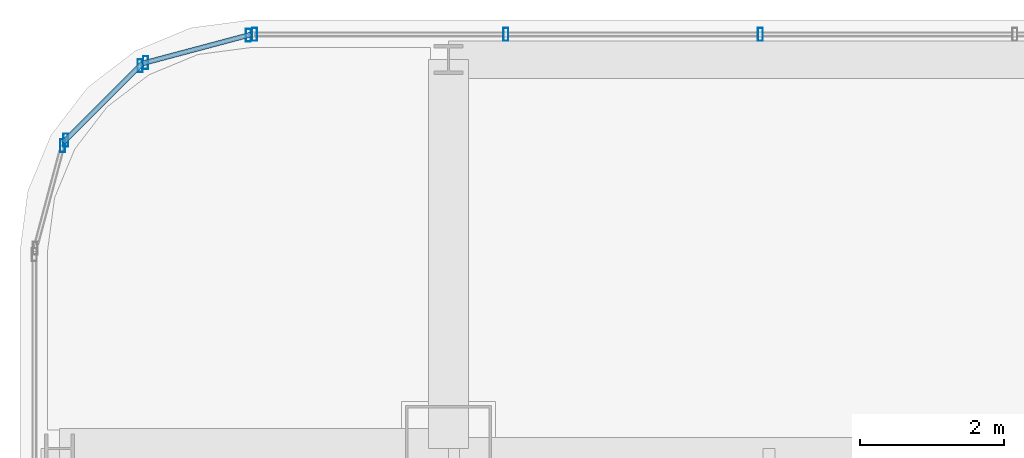
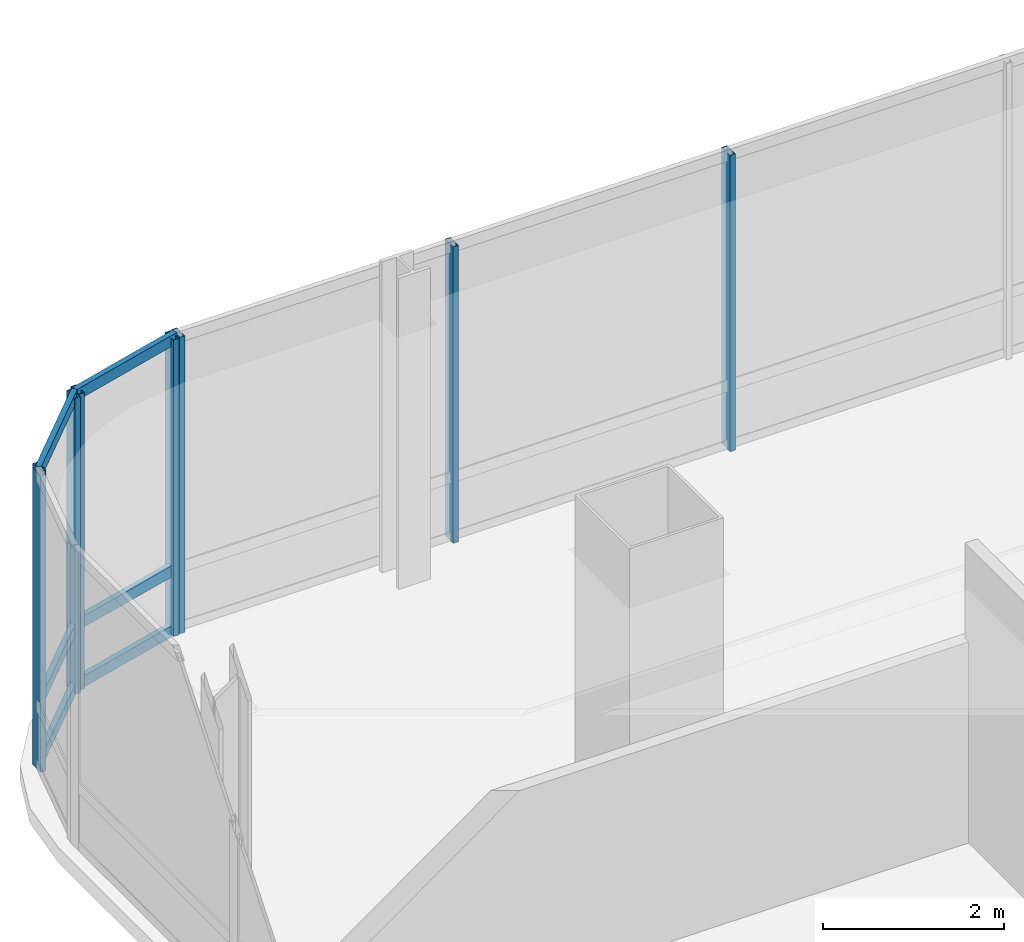
# One storey, part 23 of 42: 14 members, 4 elements without a shape of their own.
"""IFC4 building model written with IfcOpenShell, lengths in metres."""

from ifc_helpers import new_model, si_unit, direction, frame, origin, origin_2d, place, context, subcontext, project, spatial, hollow_rectangle, extrude, material, material_profile, profile_set, type_object, element, aggregate, save


model = new_model("IFC4")

# Units and contexts
model_context = context("Model", 3, precision=1e-05, world=origin(), true_north=direction((0.0, 1.0)))
body_context = subcontext(model_context, "Body", "Model", "MODEL_VIEW")
ifc_project = project(units=[si_unit("LENGTHUNIT", "METRE"), si_unit("AREAUNIT", "SQUARE_METRE"), si_unit("VOLUMEUNIT", "CUBIC_METRE"), si_unit("PLANEANGLEUNIT", "RADIAN"), si_unit("MASSUNIT", "GRAM", prefix="KILO")], contexts=[model_context])

# Site, building, storey
site_placement = place(None, origin())
site = spatial("IfcSite", under=ifc_project, at=site_placement, CompositionType="ELEMENT")
building_placement = place(site_placement, origin())
building = spatial("IfcBuilding", under=site, at=building_placement, Name="Punatoya Terracotta Tower", CompositionType="ELEMENT")
storey_placement = place(building_placement, frame((0.0, 0.0, 304.800048828125)))
storey = spatial("IfcBuildingStorey", under=building, at=storey_placement, Name="L72", CompositionType="ELEMENT", Elevation=304.800048828125)

# Curtain wall, members
ifc_material_1 = material(Name="Aluminium 6063-T6 + Double Low-E Glass", Category="aluminium")
curtain_wall_type = type_object("IfcCurtainWallType", Name="CW-M3", PredefinedType="NOTDEFINED", material=ifc_material_1)
curtain_wall_1_placement = place(storey_placement, origin())
curtain_wall_1 = element("IfcCurtainWall", 1, at=curtain_wall_1_placement, inside=storey, type_object=curtain_wall_type, Name="L72 Curtain Wall CW-L72-N09-1", PredefinedType="NOTDEFINED")
ifc_material_2 = material(Name="Aluminium 6063-T6", Category="aluminium")
ifc_material_profile_1 = material_profile(ifc_material_2, hollow_rectangle(XDim=0.070068359375, YDim=0.179931640625, WallThickness=0.00390625, at=origin_2d()))
ifc_profile_set_1 = profile_set([ifc_material_profile_1], Name="Aluminium 6063-T6")
member_type_1 = type_object("IfcMemberType", Name="CW-MUL-M3", PredefinedType="MULLION", material=ifc_profile_set_1)
member_1_placement = place(storey_placement, frame((-14.768798828125, 23.25, 0.0), z_axis=(0.0, 0.0, 1.0), x_axis=(1.0, 0.0, 0.0)))
member_1 = element("IfcMember", 2, at=member_1_placement, type_object=member_type_1, Name="CW-L72-N09-1 Mullion 09", PredefinedType="MULLION", context=body_context, shape_type="SweptSolid", body=[
    extrude(hollow_rectangle(XDim=0.070068359375, YDim=0.179931640625, WallThickness=0.00390625, at=origin_2d()), origin(), (0.0, 0.0, 1.0), 4.0),
])
member_2_placement = place(storey_placement, frame((-18.302978515625, 23.25, 0.0), z_axis=(0.0, 0.0, 1.0), x_axis=(1.0, 0.0, 0.0)))
member_2 = element("IfcMember", 3, at=member_2_placement, type_object=member_type_1, Name="CW-L72-N09-1 Mullion 10", PredefinedType="MULLION", context=body_context, shape_type="SweptSolid", body=[
    extrude(hollow_rectangle(XDim=0.070068359375, YDim=0.179931640625, WallThickness=0.00390625, at=origin_2d()), origin(), (0.0, 0.0, 1.0), 4.0),
])
member_3_placement = place(storey_placement, frame((-21.7919921875, 23.25, 0.0), z_axis=(0.0, 0.0, 1.0), x_axis=(1.0, 0.0, 0.0)))
member_3 = element("IfcMember", 4, at=member_3_placement, type_object=member_type_1, Name="CW-L72-N09-1 Mullion 11", PredefinedType="MULLION", context=body_context, shape_type="SweptSolid", body=[
    extrude(hollow_rectangle(XDim=0.070068359375, YDim=0.179931640625, WallThickness=0.00390625, at=origin_2d()), origin(), (0.0, 0.0, 1.0), 4.0),
])
aggregate(curtain_wall_1, [member_1, member_2, member_3])

curtain_wall_2_placement = place(storey_placement, origin())
curtain_wall_2 = element("IfcCurtainWall", 5, at=curtain_wall_2_placement, inside=storey, type_object=curtain_wall_type, Name="L72 Curtain Wall CW-L72-CRN10", PredefinedType="NOTDEFINED")
member_4_placement = place(storey_placement, frame((-21.88037109375, 23.23828125, 0.0), z_axis=(0.0, 0.0, 1.0), x_axis=(1.0, 0.0, 0.0)))
member_4 = element("IfcMember", 6, at=member_4_placement, type_object=member_type_1, Name="CW-L72-CRN10 Mullion 00", PredefinedType="MULLION", context=body_context, shape_type="SweptSolid", body=[
    extrude(hollow_rectangle(XDim=0.070068359375, YDim=0.179931640625, WallThickness=0.00390625, at=origin_2d()), origin(), (0.0, 0.0, 1.0), 4.0),
])
member_5_placement = place(storey_placement, frame((-23.3056640625, 22.858154296875, 0.0), z_axis=(0.0, 0.0, 1.0), x_axis=(1.0, 0.0, 0.0)))
member_5 = element("IfcMember", 7, at=member_5_placement, type_object=member_type_1, Name="CW-L72-CRN10 Mullion 01", PredefinedType="MULLION", context=body_context, shape_type="SweptSolid", body=[
    extrude(hollow_rectangle(XDim=0.070068359375, YDim=0.179931640625, WallThickness=0.00390625, at=origin_2d()), origin(), (0.0, 0.0, 1.0), 4.0),
])

curtain_wall_3_placement = place(storey_placement, origin())
curtain_wall_3 = element("IfcCurtainWall", 8, at=curtain_wall_3_placement, inside=storey, type_object=curtain_wall_type, Name="L72 Curtain Wall CW-L72-CRN11", PredefinedType="NOTDEFINED")
member_6_placement = place(storey_placement, frame((-23.380859375, 22.814697265625, 0.0), z_axis=(0.0, 0.0, 1.0), x_axis=(1.0, 0.0, 0.0)))
member_6 = element("IfcMember", 9, at=member_6_placement, type_object=member_type_1, Name="CW-L72-CRN11 Mullion 00", PredefinedType="MULLION", context=body_context, shape_type="SweptSolid", body=[
    extrude(hollow_rectangle(XDim=0.070068359375, YDim=0.179931640625, WallThickness=0.00390625, at=origin_2d()), origin(), (0.0, 0.0, 1.0), 4.0),
])
member_7_placement = place(storey_placement, frame((-24.414794921875, 21.781005859375, 0.0), z_axis=(0.0, 0.0, 1.0), x_axis=(1.0, 0.0, 0.0)))
member_7 = element("IfcMember", 10, at=member_7_placement, type_object=member_type_1, Name="CW-L72-CRN11 Mullion 01", PredefinedType="MULLION", context=body_context, shape_type="SweptSolid", body=[
    extrude(hollow_rectangle(XDim=0.070068359375, YDim=0.179931640625, WallThickness=0.00390625, at=origin_2d()), origin(), (0.0, 0.0, 1.0), 4.0),
])

# Curtain wall, member
curtain_wall_4_placement = place(storey_placement, origin())
curtain_wall_4 = element("IfcCurtainWall", 11, at=curtain_wall_4_placement, inside=storey, type_object=curtain_wall_type, Name="L72 Curtain Wall CW-L72-CRN12", PredefinedType="NOTDEFINED")
member_8_placement = place(storey_placement, frame((-24.458251953125, 21.70556640625, 0.0), z_axis=(0.0, 0.0, 1.0), x_axis=(1.0, 0.0, 0.0)))
member_8 = element("IfcMember", 12, at=member_8_placement, type_object=member_type_1, Name="CW-L72-CRN12 Mullion 00", PredefinedType="MULLION", context=body_context, shape_type="SweptSolid", body=[
    extrude(hollow_rectangle(XDim=0.070068359375, YDim=0.179931640625, WallThickness=0.00390625, at=origin_2d()), origin(), (0.0, 0.0, 1.0), 4.0),
])
aggregate(curtain_wall_4, [member_8])

# Member
ifc_material_profile_2 = material_profile(ifc_material_2, hollow_rectangle(XDim=0.068115234375, YDim=0.14990234375, WallThickness=0.00390625, at=origin_2d()))
ifc_profile_set_2 = profile_set([ifc_material_profile_2], Name="Aluminium 6063-T6")
member_type_2 = type_object("IfcMemberType", Name="CW-TRN-TYP", PredefinedType="USERDEFINED", material=ifc_profile_set_2)
member_9_placement = place(storey_placement, frame((-21.8369140625, 23.25, 0.0400390625), z_axis=(-0.966224582397, -0.257701486942, 0.0), x_axis=(0.257701486942, -0.966224582397, 0.0)))
member_9 = element("IfcMember", 13, at=member_9_placement, type_object=member_type_2, Name="CW-L72-CRN10 Transom 1", ObjectType="TRANSOM", PredefinedType="USERDEFINED", context=body_context, shape_type="SweptSolid", body=[
    extrude(hollow_rectangle(XDim=0.068115234375, YDim=0.14990234375, WallThickness=0.00390625, at=origin_2d()), origin(), (0.0, 0.0, 1.0), 1.565185546875),
])

member_10_placement = place(storey_placement, frame((-21.8369140625, 23.25, 0.849853515625), z_axis=(-0.966224582397, -0.257701486942, 0.0), x_axis=(0.257701486942, -0.966224582397, 0.0)))
member_10 = element("IfcMember", 14, at=member_10_placement, type_object=member_type_2, Name="CW-L72-CRN10 Transom 2", ObjectType="TRANSOM", PredefinedType="USERDEFINED", context=body_context, shape_type="SweptSolid", body=[
    extrude(hollow_rectangle(XDim=0.068115234375, YDim=0.14990234375, WallThickness=0.00390625, at=origin_2d()), origin(), (0.0, 0.0, 1.0), 1.565185546875),
])

member_11_placement = place(storey_placement, frame((-21.8369140625, 23.25, 3.9599609375), z_axis=(-0.966224582397, -0.257701486942, 0.0), x_axis=(0.257701486942, -0.966224582397, 0.0)))
member_11 = element("IfcMember", 15, at=member_11_placement, type_object=member_type_2, Name="CW-L72-CRN10 Transom 3", ObjectType="TRANSOM", PredefinedType="USERDEFINED", context=body_context, shape_type="SweptSolid", body=[
    extrude(hollow_rectangle(XDim=0.068115234375, YDim=0.14990234375, WallThickness=0.00390625, at=origin_2d()), origin(), (0.0, 0.0, 1.0), 1.565185546875),
])

aggregate(curtain_wall_2, [member_4, member_5, member_9, member_10, member_11])

member_12_placement = place(storey_placement, frame((-23.34912109375, 22.8466796875, 0.0400390625), z_axis=(-0.707028130747, -0.707185422879, 0.0), x_axis=(0.707185422879, -0.707028130747, 0.0)))
member_12 = element("IfcMember", 16, at=member_12_placement, type_object=member_type_2, Name="CW-L72-CRN11 Transom 1", ObjectType="TRANSOM", PredefinedType="USERDEFINED", context=body_context, shape_type="SweptSolid", body=[
    extrude(hollow_rectangle(XDim=0.068115234375, YDim=0.14990234375, WallThickness=0.00390625, at=origin_2d()), origin(), (0.0, 0.0, 1.0), 1.55224609375),
])

member_13_placement = place(storey_placement, frame((-23.34912109375, 22.8466796875, 0.849853515625), z_axis=(-0.707028130747, -0.707185422879, 0.0), x_axis=(0.707185422879, -0.707028130747, 0.0)))
member_13 = element("IfcMember", 17, at=member_13_placement, type_object=member_type_2, Name="CW-L72-CRN11 Transom 2", ObjectType="TRANSOM", PredefinedType="USERDEFINED", context=body_context, shape_type="SweptSolid", body=[
    extrude(hollow_rectangle(XDim=0.068115234375, YDim=0.14990234375, WallThickness=0.00390625, at=origin_2d()), origin(), (0.0, 0.0, 1.0), 1.55224609375),
])

member_14_placement = place(storey_placement, frame((-23.34912109375, 22.8466796875, 3.9599609375), z_axis=(-0.707028130747, -0.707185422879, 0.0), x_axis=(0.707185422879, -0.707028130747, 0.0)))
member_14 = element("IfcMember", 18, at=member_14_placement, type_object=member_type_2, Name="CW-L72-CRN11 Transom 3", ObjectType="TRANSOM", PredefinedType="USERDEFINED", context=body_context, shape_type="SweptSolid", body=[
    extrude(hollow_rectangle(XDim=0.068115234375, YDim=0.14990234375, WallThickness=0.00390625, at=origin_2d()), origin(), (0.0, 0.0, 1.0), 1.55224609375),
])

aggregate(curtain_wall_3, [member_6, member_7, member_12, member_13, member_14])

save(model, "model.ifc")
